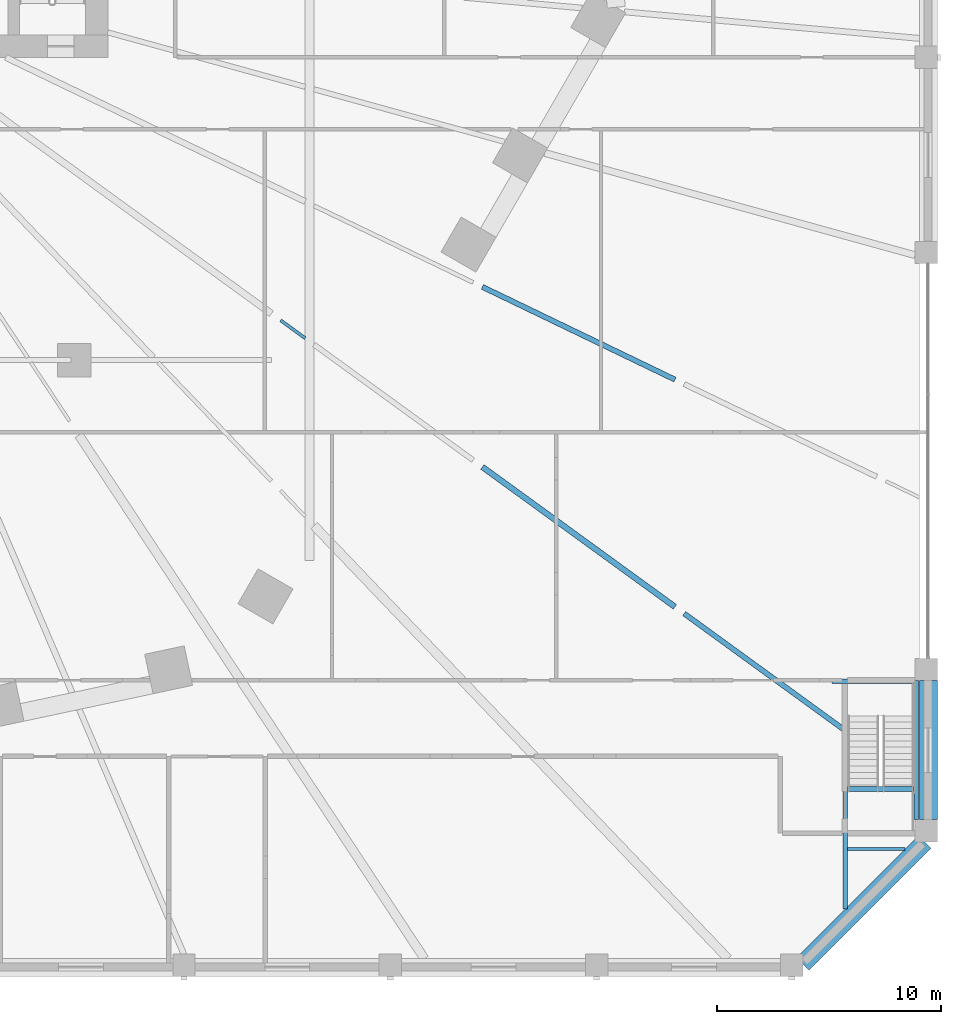
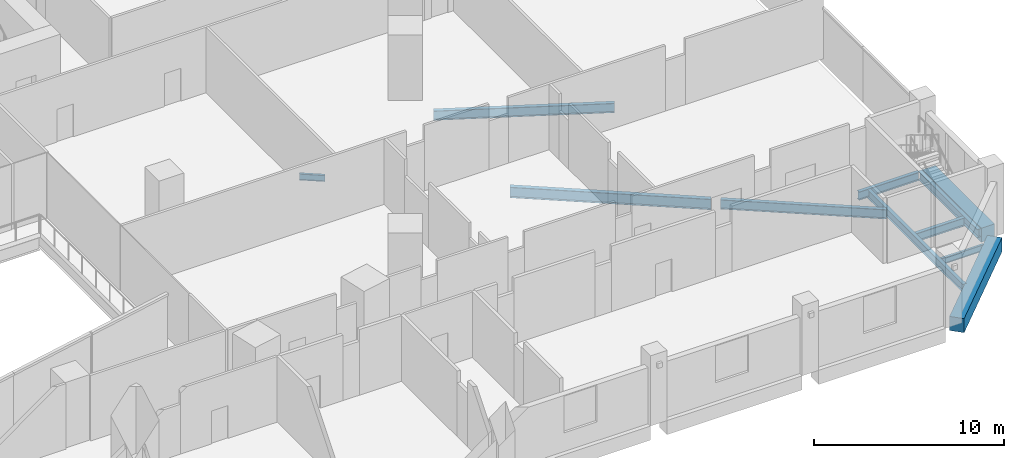
# One storey, part 6 of 33: 11 beams.
"""IFC4 building model written with IfcOpenShell, lengths in metres."""

from ifc_helpers import new_model, si_unit, direction, frame, origin, origin_2d, place, context, subcontext, project, spatial, rectangle, i_section, extrude, material, material_profile, profile_set, type_object, element, save


model = new_model("IFC4")

# Units and contexts
model_context = context("Model", 3, precision=1e-05, world=origin(), true_north=direction((0.0, 1.0)))
body_context = subcontext(model_context, "Body", "Model", "MODEL_VIEW")
ifc_project = project(units=[si_unit("LENGTHUNIT", "METRE"), si_unit("AREAUNIT", "SQUARE_METRE"), si_unit("VOLUMEUNIT", "CUBIC_METRE"), si_unit("PLANEANGLEUNIT", "RADIAN"), si_unit("MASSUNIT", "GRAM", prefix="KILO")], contexts=[model_context])

# Site, building, storey
site_placement = place(None, origin())
site = spatial("IfcSite", under=ifc_project, at=site_placement, CompositionType="ELEMENT")
building_placement = place(site_placement, origin())
building = spatial("IfcBuilding", under=site, at=building_placement, Name="Isthmus Gate Tower", CompositionType="ELEMENT")
storey_placement = place(building_placement, frame((0.0, 0.0, 22.5)))
storey = spatial("IfcBuildingStorey", under=building, at=storey_placement, Name="L03", CompositionType="ELEMENT", Elevation=22.5)

# Beams
ifc_material_1 = material(Name="Concrete f'c 70 MPa", Category="concrete")
ifc_material_profile_1 = material_profile(ifc_material_1, rectangle(XDim=0.800048828125, YDim=0.89990234375, at=origin_2d()), Name="RC 800X900")
ifc_profile_set_1 = profile_set([ifc_material_profile_1], Name="Concrete f'c 70 MPa")
beam_type_1 = type_object("IfcBeamType", Name="RC EDGE BEAM 800 X 900", PredefinedType="BEAM", material=ifc_profile_set_1)
beam_1_placement = place(storey_placement, frame((51.60009765625, -27.800048828125, -0.75), z_axis=(0.0, -1.0, 0.0), x_axis=(1.0, 0.0, 0.0)))
element("IfcBeam", 1, at=beam_1_placement, inside=storey, type_object=beam_type_1, Name="str-edgebeam-L03-26", PredefinedType="BEAM", context=body_context, shape_type="SweptSolid", body=[
    extrude(rectangle(XDim=0.800048828125, YDim=0.89990234375, at=origin_2d()), origin(), (0.0, 0.0, 1.0), 6.199951171875),
])
beam_2_placement = place(storey_placement, frame((51.434326171875, -35.0, -0.75), z_axis=(-0.707106781187, -0.707106781187, 0.0), x_axis=(0.707106781187, -0.707106781187, 0.0)))
element("IfcBeam", 2, at=beam_2_placement, inside=storey, type_object=beam_type_1, Name="str-edgebeam-L03-27", PredefinedType="BEAM", context=body_context, shape_type="SweptSolid", body=[
    extrude(rectangle(XDim=0.800048828125, YDim=0.89990234375, at=origin_2d()), origin(), (0.0, 0.0, 1.0), 7.685302734375),
])
ifc_material_2 = material(Name="Structural steel ASTM A992 Gr 50", Category="steel")
ifc_material_profile_2 = material_profile(ifc_material_2, i_section(OverallWidth=0.1396484375, OverallDepth=0.4033203125, WebThickness=0.00634765625, FlangeThickness=0.010986328125, at=origin_2d()), Name="W16X31")
ifc_profile_set_2 = profile_set([ifc_material_profile_2], Name="Structural steel ASTM A992 Gr 50")
beam_type_2 = type_object("IfcBeamType", Name="STEEL FLOOR BEAM W16X31", PredefinedType="JOIST", material=ifc_profile_set_2)
beam_3_placement = place(storey_placement, frame((22.7080078125, -11.728271484375, -0.501708984375), z_axis=(0.809001919707, -0.587806000234, 0.0), x_axis=(0.587806000234, 0.809001919707, 0.0)))
element("IfcBeam", 3, at=beam_3_placement, inside=storey, type_object=beam_type_2, Name="str-beam-L03-15-60", PredefinedType="JOIST", context=body_context, shape_type="SweptSolid", body=[
    extrude(i_section(OverallWidth=0.1396484375, OverallDepth=0.4033203125, WebThickness=0.00634765625, FlangeThickness=0.010986328125, at=origin_2d()), origin(), (0.0, 0.0, 1.0), 1.349853515625),
])
beam_4_placement = place(storey_placement, frame((48.0, -35.301513671875, -0.501708984375), z_axis=(1.0, 0.0, 0.0), x_axis=(0.0, 1.0, 0.0)))
element("IfcBeam", 4, at=beam_4_placement, inside=storey, type_object=beam_type_2, Name="str-beam-L03-28-00", PredefinedType="JOIST", context=body_context, shape_type="SweptSolid", body=[
    extrude(i_section(OverallWidth=0.1396484375, OverallDepth=0.4033203125, WebThickness=0.00634765625, FlangeThickness=0.010986328125, at=origin_2d()), origin(), (0.0, 0.0, 1.0), 2.567138671875),
])
ifc_material_3 = material(Name="Structural steel ASTM A992 Gr 50", Category="steel")
ifc_material_profile_3 = material_profile(ifc_material_3, i_section(OverallWidth=0.228515625, OverallDepth=0.603271484375, WebThickness=0.010986328125, FlangeThickness=0.014404296875, at=origin_2d()), Name="W24X68")
ifc_profile_set_3 = profile_set([ifc_material_profile_3], Name="Structural steel ASTM A992 Gr 50")
beam_type_3 = type_object("IfcBeamType", Name="STEEL FLOOR BEAM W24X68", PredefinedType="JOIST", material=ifc_profile_set_3)
beam_5_placement = place(storey_placement, frame((40.7080078125, -24.805908203125, -0.6015625), z_axis=(0.809003716339, -0.587803527507, 0.0), x_axis=(0.587803527507, 0.809003716339, 0.0)))
element("IfcBeam", 5, at=beam_5_placement, inside=storey, type_object=beam_type_3, Name="str-beam-L03-15-63", PredefinedType="JOIST", context=body_context, shape_type="SweptSolid", body=[
    extrude(i_section(OverallWidth=0.228515625, OverallDepth=0.603271484375, WebThickness=0.010986328125, FlangeThickness=0.014404296875, at=origin_2d()), origin(), (0.0, 0.0, 1.0), 8.754638671875),
])
beam_6_placement = place(storey_placement, frame((31.7080078125, -10.235595703125, -0.6015625), z_axis=(0.900960489443, -0.433901136739, 0.0), x_axis=(0.433901136739, 0.900960489443, 0.0)))
element("IfcBeam", 6, at=beam_6_placement, inside=storey, type_object=beam_type_3, Name="str-beam-L03-15-66", PredefinedType="JOIST", context=body_context, shape_type="SweptSolid", body=[
    extrude(i_section(OverallWidth=0.228515625, OverallDepth=0.603271484375, WebThickness=0.010986328125, FlangeThickness=0.014404296875, at=origin_2d()), origin(), (0.0, 0.0, 1.0), 9.527587890625),
])
ifc_material_4 = material(Name="Structural steel ASTM A992 Gr 50", Category="steel")
ifc_material_profile_4 = material_profile(ifc_material_4, i_section(OverallWidth=0.25390625, OverallDepth=0.679443359375, WebThickness=0.010986328125, FlangeThickness=0.015869140625, at=origin_2d()), Name="W27X84")
ifc_profile_set_4 = profile_set([ifc_material_profile_4], Name="Structural steel ASTM A992 Gr 50")
beam_type_4 = type_object("IfcBeamType", Name="STEEL FLOOR BEAM W27X84", PredefinedType="JOIST", material=ifc_profile_set_4)
beam_7_placement = place(storey_placement, frame((31.7080078125, -18.26708984375, -0.6396484375), z_axis=(0.809008627088, -0.587796768703, 0.0), x_axis=(0.587796768703, 0.809008627088, 0.0)))
element("IfcBeam", 7, at=beam_7_placement, inside=storey, type_object=beam_type_4, Name="str-beam-L03-15-62", PredefinedType="JOIST", context=body_context, shape_type="SweptSolid", body=[
    extrude(i_section(OverallWidth=0.25390625, OverallDepth=0.679443359375, WebThickness=0.010986328125, FlangeThickness=0.015869140625, at=origin_2d()), origin(), (0.0, 0.0, 1.0), 10.610595703125),
])
ifc_material_5 = material(Name="Structural steel ASTM A992 Gr 50", Category="steel")
ifc_material_profile_5 = material_profile(ifc_material_5, i_section(OverallWidth=0.20947265625, OverallDepth=0.533447265625, WebThickness=0.009521484375, FlangeThickness=0.015869140625, at=origin_2d()), Name="W21X62")
ifc_profile_set_5 = profile_set([ifc_material_profile_5], Name="Structural steel ASTM A992 Gr 50")
beam_type_5 = type_object("IfcBeamType", Name="STEEL TRIMMER W21X62", PredefinedType="BEAM", material=ifc_profile_set_5)
beam_8_placement = place(storey_placement, frame((51.0546875, -34.0, -0.566650390625), z_axis=(0.0, 1.0, 0.0), x_axis=(-1.0, 0.0, 0.0)))
element("IfcBeam", 8, at=beam_8_placement, inside=storey, type_object=beam_type_5, Name="str-trimmer-L03-05", PredefinedType="BEAM", context=body_context, shape_type="SweptSolid", body=[
    extrude(i_section(OverallWidth=0.20947265625, OverallDepth=0.533447265625, WebThickness=0.009521484375, FlangeThickness=0.015869140625, at=origin_2d()), origin(), (0.0, 0.0, 1.0), 6.199951171875),
])
beam_9_placement = place(storey_placement, frame((47.895263671875, -27.928955078125, -0.566650390625), z_axis=(0.0, -1.0, 0.0), x_axis=(1.0, 0.0, 0.0)))
element("IfcBeam", 9, at=beam_9_placement, inside=storey, type_object=beam_type_5, Name="str-trimmer-L03-06", PredefinedType="BEAM", context=body_context, shape_type="SweptSolid", body=[
    extrude(i_section(OverallWidth=0.20947265625, OverallDepth=0.533447265625, WebThickness=0.009521484375, FlangeThickness=0.015869140625, at=origin_2d()), origin(), (0.0, 0.0, 1.0), 10.04443359375),
])
beam_10_placement = place(storey_placement, frame((50.949951171875, -27.82421875, -0.566650390625), z_axis=(-1.0, 0.0, 0.0), x_axis=(0.0, -1.0, 0.0)))
element("IfcBeam", 10, at=beam_10_placement, inside=storey, type_object=beam_type_5, Name="str-trimmer-L03-15", PredefinedType="BEAM", context=body_context, shape_type="SweptSolid", body=[
    extrude(i_section(OverallWidth=0.20947265625, OverallDepth=0.533447265625, WebThickness=0.009521484375, FlangeThickness=0.015869140625, at=origin_2d()), origin(), (0.0, 0.0, 1.0), 3.64990234375),
])
beam_11_placement = place(storey_placement, frame((48.0, -32.629638671875, -0.566650390625), z_axis=(1.0, 0.0, 0.0), x_axis=(0.0, 1.0, 0.0)))
element("IfcBeam", 11, at=beam_11_placement, inside=storey, type_object=beam_type_5, Name="str-trimmer-L03-16", PredefinedType="BEAM", context=body_context, shape_type="SweptSolid", body=[
    extrude(i_section(OverallWidth=0.20947265625, OverallDepth=0.533447265625, WebThickness=0.009521484375, FlangeThickness=0.015869140625, at=origin_2d()), origin(), (0.0, 0.0, 1.0), 2.949951171875),
])

save(model, "model.ifc")
